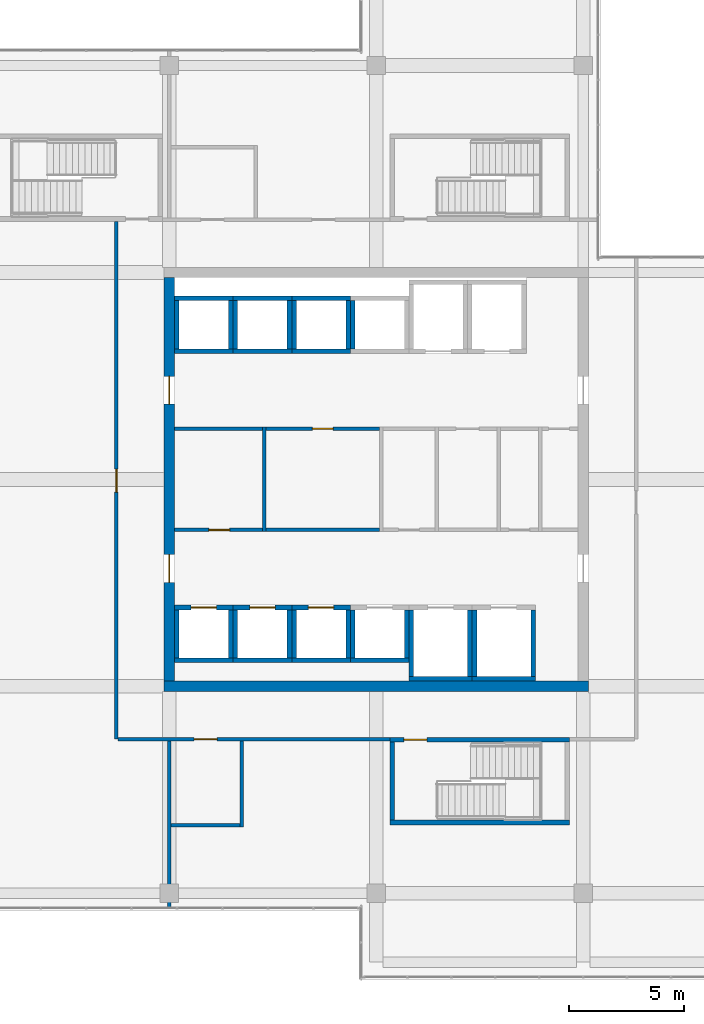
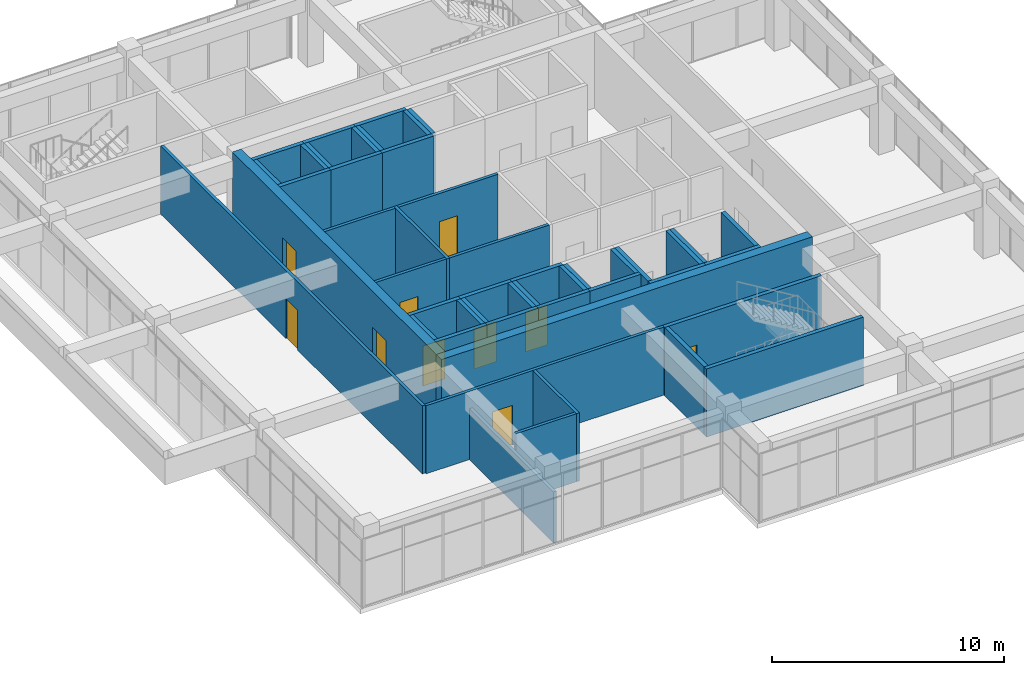
# One storey, part 47 of 52: 49 walls, 10 doors, 10 openings.
"""IFC4 building model written with IfcOpenShell, lengths in metres."""

from ifc_helpers import new_model, si_unit, direction, frame, frame_2d, origin, place, context, subcontext, project, spatial, rectangle, extrude, material, layer, layer_set, type_object, element, fill, save


model = new_model("IFC4")

# Units and contexts
model_context = context("Model", 3, precision=1e-05, world=origin(), true_north=direction((0.0, 1.0)))
body_context = subcontext(model_context, "Body", "Model", "MODEL_VIEW")
ifc_project = project(units=[si_unit("LENGTHUNIT", "METRE"), si_unit("AREAUNIT", "SQUARE_METRE"), si_unit("VOLUMEUNIT", "CUBIC_METRE"), si_unit("PLANEANGLEUNIT", "RADIAN"), si_unit("MASSUNIT", "GRAM", prefix="KILO")], contexts=[model_context])

# Site, building, storey
site_placement = place(None, origin())
site = spatial("IfcSite", under=ifc_project, at=site_placement, CompositionType="ELEMENT")
building_placement = place(site_placement, origin())
building = spatial("IfcBuilding", under=site, at=building_placement, Name="Tuart Plaza Theatre", CompositionType="ELEMENT")
storey_placement = place(building_placement, frame((0.0, 0.0, 25.5)))
storey = spatial("IfcBuildingStorey", under=building, at=storey_placement, Name="L06", CompositionType="ELEMENT", Elevation=25.5)

# Wall
ifc_material_1 = material(Name="Masonry block", Category="masonry")
ifc_layer_1 = layer(ifc_material_1, 0.14990234375)
ifc_layer_set_1 = layer_set([ifc_layer_1], Name="PARTITION BLK150 MASONRYB FRL -/120/120")
wall_type_1 = type_object("IfcWallType", Name="PARTITION BLK150 MASONRYB FRL -/120/120", PredefinedType="PARTITIONING", material=ifc_layer_set_1)
wall_1_placement = place(storey_placement, frame((127.125, 71.72509765625, 0.0), z_axis=(0.0, 0.0, 1.0), x_axis=(0.0, 1.0, 0.0)))
element("IfcWall", 1, at=wall_1_placement, inside=storey, type_object=wall_type_1, Name="P607", PredefinedType="PARTITIONING", context=body_context, shape_type="SweptSolid", body=[
    extrude(rectangle(XDim=4.5498046875, YDim=0.14990234375, at=frame_2d((2.27490234375, 0.0))), origin(), (0.0, 0.0, 1.0), 3.580078125),
])

# Wall, opening, door
wall_2_placement = place(storey_placement, frame((123.22509765625, 71.800048828125, 0.0), z_axis=(0.0, 0.0, 1.0), x_axis=(1.0, 0.0, 0.0)))
wall_2 = element("IfcWall", 2, at=wall_2_placement, inside=storey, type_object=wall_type_1, Name="P608", PredefinedType="PARTITIONING", context=body_context, shape_type="SweptSolid", body=[
    extrude(rectangle(XDim=3.824951171875, YDim=0.14990234375, at=frame_2d((1.91259765625, 0.0))), origin(), (0.0, 0.0, 1.0), 3.580078125),
])
opening_1_placement = place(wall_2_placement, frame((1.5, 0.0, 0.0)))
opening_1 = element("IfcOpeningElement", 3, at=opening_1_placement, cuts=wall_2, Name="Opening L06-018", PredefinedType="OPENING", context=body_context, shape_type="SweptSolid", body=[
    extrude(rectangle(XDim=0.89990234375, YDim=2.10009765625, at=frame_2d((0.449951171875, 1.050048828125))), frame((0.0, 0.0849609375, 0.0), z_axis=(0.0, -1.0, 0.0), x_axis=(1.0, 0.0, 0.0)), (0.0, 0.0, 1.0), 0.169921875),
])
ifc_material_2 = material(Name="Steel Grade 300", Category="steel")
door_type_1 = type_object("IfcDoorType", Name="DOOR 900x2100 steel single swing FRL -/120/30", OperationType="SINGLE_SWING_LEFT", PredefinedType="DOOR", material=ifc_material_2)
door_1_placement = place(opening_1_placement, origin())
door_1 = element("IfcDoor", 4, at=door_1_placement, inside=storey, type_object=door_type_1, Name="L06-018", OperationType="SINGLE_SWING_LEFT", OverallHeight=2.10009765625, OverallWidth=0.89990234375, PredefinedType="DOOR", context=body_context, shape_type="SweptSolid", body=[
    extrude(rectangle(XDim=0.89990234375, YDim=2.10009765625, at=frame_2d((0.449951171875, 1.050048828125))), frame((0.0, 0.02490234375, 0.0), z_axis=(0.0, -1.0, 0.0), x_axis=(1.0, 0.0, 0.0)), (0.0, 0.0, 1.0), 0.050048828125),
])
fill(opening_1, door_1)

# Walls
wall_3_placement = place(storey_placement, frame((123.22509765625, 76.199951171875, 0.0), z_axis=(0.0, 0.0, 1.0), x_axis=(1.0, 0.0, 0.0)))
element("IfcWall", 5, at=wall_3_placement, inside=storey, type_object=wall_type_1, Name="P609", PredefinedType="PARTITIONING", context=body_context, shape_type="SweptSolid", body=[
    extrude(rectangle(XDim=3.824951171875, YDim=0.14990234375, at=frame_2d((1.91259765625, 0.0))), origin(), (0.0, 0.0, 1.0), 3.580078125),
])
wall_4_placement = place(storey_placement, frame((127.199951171875, 71.800048828125, 0.0), z_axis=(0.0, 0.0, 1.0), x_axis=(1.0, 0.0, 0.0)))
element("IfcWall", 6, at=wall_4_placement, inside=storey, type_object=wall_type_1, Name="P611", PredefinedType="PARTITIONING", context=body_context, shape_type="SweptSolid", body=[
    extrude(rectangle(XDim=4.949951171875, YDim=0.14990234375, at=frame_2d((2.47509765625, 0.0))), origin(), (0.0, 0.0, 1.0), 3.580078125),
])

# Wall, opening, door
wall_5_placement = place(storey_placement, frame((127.199951171875, 76.199951171875, 0.0), z_axis=(0.0, 0.0, 1.0), x_axis=(1.0, 0.0, 0.0)))
wall_5 = element("IfcWall", 7, at=wall_5_placement, inside=storey, type_object=wall_type_1, Name="P612", PredefinedType="PARTITIONING", context=body_context, shape_type="SweptSolid", body=[
    extrude(rectangle(XDim=4.949951171875, YDim=0.14990234375, at=frame_2d((2.47509765625, 0.0))), origin(), (0.0, 0.0, 1.0), 3.580078125),
])
opening_2_placement = place(wall_5_placement, frame((2.02490234375, 0.0, 0.0)))
opening_2 = element("IfcOpeningElement", 8, at=opening_2_placement, cuts=wall_5, Name="Opening L06-019", PredefinedType="OPENING", context=body_context, shape_type="SweptSolid", body=[
    extrude(rectangle(XDim=0.89990234375, YDim=2.10009765625, at=frame_2d((0.449951171875, 1.050048828125))), frame((0.0, 0.0849609375, 0.0), z_axis=(0.0, -1.0, 0.0), x_axis=(1.0, 0.0, 0.0)), (0.0, 0.0, 1.0), 0.169921875),
])
door_2_placement = place(opening_2_placement, frame((0.89990234375, 0.0, 0.0), z_axis=(0.0, 0.0, 1.0), x_axis=(-1.0, 0.0, 0.0)))
door_2 = element("IfcDoor", 9, at=door_2_placement, inside=storey, type_object=door_type_1, Name="L06-019", OperationType="SINGLE_SWING_LEFT", OverallHeight=2.10009765625, OverallWidth=0.89990234375, PredefinedType="DOOR", context=body_context, shape_type="SweptSolid", body=[
    extrude(rectangle(XDim=0.89990234375, YDim=2.10009765625, at=frame_2d((0.449951171875, 1.050048828125))), frame((0.0, 0.02490234375, 0.0), z_axis=(0.0, -1.0, 0.0), x_axis=(1.0, 0.0, 0.0)), (0.0, 0.0, 1.0), 0.050048828125),
])
fill(opening_2, door_2)

ifc_material_3 = material(Name="Masonry block", Category="masonry")
ifc_layer_2 = layer(ifc_material_3, 0.14990234375)
ifc_layer_set_2 = layer_set([ifc_layer_2], Name="PARTITION BLK150 MASONRYB FRL 120/-/-")
wall_type_2 = type_object("IfcWallType", Name="PARTITION BLK150 MASONRYB FRL 120/-/-", PredefinedType="PARTITIONING", material=ifc_layer_set_2)
wall_6_placement = place(storey_placement, frame((120.699951171875, 62.699951171875, 0.0), z_axis=(0.0, 0.0, 1.0), x_axis=(0.0, 1.0, 0.0)))
wall_6 = element("IfcWall", 10, at=wall_6_placement, inside=storey, type_object=wall_type_2, Name="P624", PredefinedType="PARTITIONING", context=body_context, shape_type="SweptSolid", body=[
    extrude(rectangle(XDim=22.525146484375, YDim=0.14990234375, at=frame_2d((11.2626953125, 0.0))), origin(), (0.0, 0.0, 1.0), 3.580078125),
])
opening_3_placement = place(wall_6_placement, frame((10.74755859375, 0.0, 0.0)))
opening_3 = element("IfcOpeningElement", 11, at=opening_3_placement, cuts=wall_6, Name="Opening L06-027", PredefinedType="OPENING", context=body_context, shape_type="SweptSolid", body=[
    extrude(rectangle(XDim=1.0, YDim=2.10009765625, at=frame_2d((0.5, 1.050048828125))), frame((0.0, 0.0849609375, 0.0), z_axis=(0.0, -1.0, 0.0), x_axis=(1.0, 0.0, 0.0)), (0.0, 0.0, 1.0), 0.169921875),
])
ifc_material_4 = material(Name="Timber", Category="wood")
door_type_2 = type_object("IfcDoorType", Name="DOOR 1000x2100 timber single swing FRL -/60/30", OperationType="SINGLE_SWING_LEFT", PredefinedType="DOOR", material=ifc_material_4)
door_3_placement = place(opening_3_placement, origin())
door_3 = element("IfcDoor", 12, at=door_3_placement, inside=storey, type_object=door_type_2, Name="L06-027", OperationType="SINGLE_SWING_RIGHT", OverallHeight=2.10009765625, OverallWidth=1.0, PredefinedType="DOOR", context=body_context, shape_type="SweptSolid", body=[
    extrude(rectangle(XDim=1.0, YDim=2.10009765625, at=frame_2d((0.5, 1.050048828125))), frame((0.0, 0.02490234375, 0.0), z_axis=(0.0, -1.0, 0.0), x_axis=(1.0, 0.0, 0.0)), (0.0, 0.0, 1.0), 0.050048828125),
])
fill(opening_3, door_3)

wall_7_placement = place(storey_placement, frame((132.60009765625, 62.699951171875, 0.0), z_axis=(0.0, 0.0, 1.0), x_axis=(-1.0, 0.0, 0.0)))
wall_7 = element("IfcWall", 13, at=wall_7_placement, inside=storey, type_object=wall_type_2, Name="P625", PredefinedType="PARTITIONING", context=body_context, shape_type="SweptSolid", body=[
    extrude(rectangle(XDim=11.8251953125, YDim=0.14990234375, at=frame_2d((5.91259765625, 0.0))), origin(), (0.0, 0.0, 1.0), 3.580078125),
])
opening_4_placement = place(wall_7_placement, frame((7.52490234375, 0.0, 0.0)))
opening_4 = element("IfcOpeningElement", 14, at=opening_4_placement, cuts=wall_7, Name="Opening L06-024", PredefinedType="OPENING", context=body_context, shape_type="SweptSolid", body=[
    extrude(rectangle(XDim=1.0, YDim=2.10009765625, at=frame_2d((0.5, 1.050048828125))), frame((0.0, 0.0849609375, 0.0), z_axis=(0.0, -1.0, 0.0), x_axis=(1.0, 0.0, 0.0)), (0.0, 0.0, 1.0), 0.169921875),
])
door_4_placement = place(opening_4_placement, origin())
door_4 = element("IfcDoor", 15, at=door_4_placement, inside=storey, type_object=door_type_2, Name="L06-024", OperationType="SINGLE_SWING_LEFT", OverallHeight=2.10009765625, OverallWidth=1.0, PredefinedType="DOOR", context=body_context, shape_type="SweptSolid", body=[
    extrude(rectangle(XDim=1.0, YDim=2.10009765625, at=frame_2d((0.5, 1.050048828125))), frame((0.0, 0.02490234375, 0.0), z_axis=(0.0, -1.0, 0.0), x_axis=(1.0, 0.0, 0.0)), (0.0, 0.0, 1.0), 0.050048828125),
])
fill(opening_4, door_4)

# Walls
wall_8_placement = place(storey_placement, frame((123.0, 55.39990234375, 0.0), z_axis=(0.0, 0.0, 1.0), x_axis=(0.0, 1.0, 0.0)))
element("IfcWall", 16, at=wall_8_placement, inside=storey, type_object=wall_type_2, Name="P630", PredefinedType="PARTITIONING", context=body_context, shape_type="SweptSolid", body=[
    extrude(rectangle(XDim=7.22607421875, YDim=0.14990234375, at=frame_2d((3.613037109375, 0.0))), origin(), (0.0, 0.0, 1.0), 2.679931640625),
])
wall_9_placement = place(storey_placement, frame((123.074951171875, 58.949951171875, 0.0), z_axis=(0.0, 0.0, 1.0), x_axis=(1.0, 0.0, 0.0)))
element("IfcWall", 17, at=wall_9_placement, inside=storey, type_object=wall_type_2, Name="P632", PredefinedType="PARTITIONING", context=body_context, shape_type="SweptSolid", body=[
    extrude(rectangle(XDim=3.0, YDim=0.14990234375, at=frame_2d((1.5, 0.0))), origin(), (0.0, 0.0, 1.0), 3.580078125),
])
wall_10_placement = place(storey_placement, frame((126.14990234375, 62.625, 0.0), z_axis=(0.0, 0.0, 1.0), x_axis=(0.0, -1.0, 0.0)))
element("IfcWall", 18, at=wall_10_placement, inside=storey, type_object=wall_type_2, Name="P633", PredefinedType="PARTITIONING", context=body_context, shape_type="SweptSolid", body=[
    extrude(rectangle(XDim=3.75, YDim=0.14990234375, at=frame_2d((1.875, 0.0))), origin(), (0.0, 0.0, 1.0), 3.580078125),
])
ifc_material_5 = material(Name="Concrete N40 (40 MPa)", Category="concrete")
ifc_layer_3 = layer(ifc_material_5, 0.199951171875)
ifc_layer_set_3 = layer_set([ifc_layer_3], Name="SHEAR WALL RC200 FRL 120/120/120")
wall_type_3 = type_object("IfcWallType", Name="SHEAR WALL RC200 FRL 120/120/120", PredefinedType="SHEAR", material=ifc_layer_set_3)
wall_11_placement = place(storey_placement, frame((123.22509765625, 66.125, 0.0), z_axis=(0.0, 0.0, 1.0), x_axis=(1.0, 0.0, 0.0)))
element("IfcWall", 19, at=wall_11_placement, inside=storey, type_object=wall_type_3, Name="W574", PredefinedType="SHEAR", context=body_context, shape_type="SweptSolid", body=[
    extrude(rectangle(XDim=2.5498046875, YDim=0.199951171875, at=frame_2d((1.27490234375, 0.0))), origin(), (0.0, 0.0, 1.0), 4.0),
])
wall_12_placement = place(storey_placement, frame((125.675048828125, 66.22509765625, 0.0), z_axis=(0.0, 0.0, 1.0), x_axis=(0.0, 1.0, 0.0)))
element("IfcWall", 20, at=wall_12_placement, inside=storey, type_object=wall_type_3, Name="W575", PredefinedType="SHEAR", context=body_context, shape_type="SweptSolid", body=[
    extrude(rectangle(XDim=2.099853515625, YDim=0.199951171875, at=frame_2d((1.0498046875, 0.0))), origin(), (0.0, 0.0, 1.0), 4.0),
])

# Wall, opening, door
wall_13_placement = place(storey_placement, frame((125.77490234375, 68.425048828125, 0.0), z_axis=(0.0, 0.0, 1.0), x_axis=(-1.0, 0.0, 0.0)))
wall_13 = element("IfcWall", 21, at=wall_13_placement, inside=storey, type_object=wall_type_3, Name="W576", PredefinedType="SHEAR", context=body_context, shape_type="SweptSolid", body=[
    extrude(rectangle(XDim=2.5498046875, YDim=0.199951171875, at=frame_2d((1.27490234375, 0.0))), origin(), (0.0, 0.0, 1.0), 4.0),
])
opening_5_placement = place(wall_13_placement, frame((0.72509765625, 0.0, 0.0)))
opening_5 = element("IfcOpeningElement", 22, at=opening_5_placement, cuts=wall_13, Name="Opening L06-003", PredefinedType="OPENING", context=body_context, shape_type="SweptSolid", body=[
    extrude(rectangle(XDim=1.10009765625, YDim=2.10009765625, at=frame_2d((0.550048828125, 1.050048828125))), frame((0.0, 0.10986328125, 0.0), z_axis=(0.0, -1.0, 0.0), x_axis=(1.0, 0.0, 0.0)), (0.0, 0.0, 1.0), 0.219970703125),
])
ifc_material_6 = material(Name="Steel Grade 300", Category="steel")
door_type_3 = type_object("IfcDoorType", Name="LANDING DOOR 1100x2100 steel sliding FRL -/120/30", OperationType="SLIDING_TO_LEFT", PredefinedType="DOOR", material=ifc_material_6)
door_5_placement = place(opening_5_placement, origin())
door_5 = element("IfcDoor", 23, at=door_5_placement, inside=storey, type_object=door_type_3, Name="L06-003", OperationType="SLIDING_TO_LEFT", OverallHeight=2.10009765625, OverallWidth=1.10009765625, PredefinedType="DOOR", context=body_context, shape_type="SweptSolid", body=[
    extrude(rectangle(XDim=1.10009765625, YDim=2.10009765625, at=frame_2d((0.550048828125, 1.050048828125))), frame((0.0, 0.02490234375, 0.0), z_axis=(0.0, -1.0, 0.0), x_axis=(1.0, 0.0, 0.0)), (0.0, 0.0, 1.0), 0.050048828125),
])
fill(opening_5, door_5)

# Walls
wall_14_placement = place(storey_placement, frame((123.324951171875, 68.324951171875, 0.0), z_axis=(0.0, 0.0, 1.0), x_axis=(0.0, -1.0, 0.0)))
element("IfcWall", 24, at=wall_14_placement, inside=storey, type_object=wall_type_3, Name="W577", PredefinedType="SHEAR", context=body_context, shape_type="SweptSolid", body=[
    extrude(rectangle(XDim=2.099853515625, YDim=0.199951171875, at=frame_2d((1.0498046875, 0.0))), origin(), (0.0, 0.0, 1.0), 4.0),
])
wall_15_placement = place(storey_placement, frame((125.77490234375, 66.125, 0.0), z_axis=(0.0, 0.0, 1.0), x_axis=(1.0, 0.0, 0.0)))
element("IfcWall", 25, at=wall_15_placement, inside=storey, type_object=wall_type_3, Name="W618", PredefinedType="SHEAR", context=body_context, shape_type="SweptSolid", body=[
    extrude(rectangle(XDim=2.550048828125, YDim=0.199951171875, at=frame_2d((1.27490234375, 0.0))), origin(), (0.0, 0.0, 1.0), 4.0),
])
wall_16_placement = place(storey_placement, frame((128.22509765625, 66.22509765625, 0.0), z_axis=(0.0, 0.0, 1.0), x_axis=(0.0, 1.0, 0.0)))
element("IfcWall", 26, at=wall_16_placement, inside=storey, type_object=wall_type_3, Name="W619", PredefinedType="SHEAR", context=body_context, shape_type="SweptSolid", body=[
    extrude(rectangle(XDim=2.099853515625, YDim=0.199951171875, at=frame_2d((1.0498046875, 0.0))), origin(), (0.0, 0.0, 1.0), 4.0),
])

# Wall, opening, door
wall_17_placement = place(storey_placement, frame((128.324951171875, 68.425048828125, 0.0), z_axis=(0.0, 0.0, 1.0), x_axis=(-1.0, 0.0, 0.0)))
wall_17 = element("IfcWall", 27, at=wall_17_placement, inside=storey, type_object=wall_type_3, Name="W620", PredefinedType="SHEAR", context=body_context, shape_type="SweptSolid", body=[
    extrude(rectangle(XDim=2.550048828125, YDim=0.199951171875, at=frame_2d((1.27490234375, 0.0))), origin(), (0.0, 0.0, 1.0), 4.0),
])
opening_6_placement = place(wall_17_placement, frame((0.72509765625, 0.0, 0.0)))
opening_6 = element("IfcOpeningElement", 28, at=opening_6_placement, cuts=wall_17, Name="Opening L06-004", PredefinedType="OPENING", context=body_context, shape_type="SweptSolid", body=[
    extrude(rectangle(XDim=1.10009765625, YDim=2.10009765625, at=frame_2d((0.550048828125, 1.050048828125))), frame((0.0, 0.10986328125, 0.0), z_axis=(0.0, -1.0, 0.0), x_axis=(1.0, 0.0, 0.0)), (0.0, 0.0, 1.0), 0.219970703125),
])
door_6_placement = place(opening_6_placement, origin())
door_6 = element("IfcDoor", 29, at=door_6_placement, inside=storey, type_object=door_type_3, Name="L06-004", OperationType="SLIDING_TO_LEFT", OverallHeight=2.10009765625, OverallWidth=1.10009765625, PredefinedType="DOOR", context=body_context, shape_type="SweptSolid", body=[
    extrude(rectangle(XDim=1.10009765625, YDim=2.10009765625, at=frame_2d((0.550048828125, 1.050048828125))), frame((0.0, 0.02490234375, 0.0), z_axis=(0.0, -1.0, 0.0), x_axis=(1.0, 0.0, 0.0)), (0.0, 0.0, 1.0), 0.050048828125),
])
fill(opening_6, door_6)

# Walls
wall_18_placement = place(storey_placement, frame((125.875, 68.324951171875, 0.0), z_axis=(0.0, 0.0, 1.0), x_axis=(0.0, -1.0, 0.0)))
element("IfcWall", 30, at=wall_18_placement, inside=storey, type_object=wall_type_3, Name="W621", PredefinedType="SHEAR", context=body_context, shape_type="SweptSolid", body=[
    extrude(rectangle(XDim=2.099853515625, YDim=0.199951171875, at=frame_2d((1.0498046875, 0.0))), origin(), (0.0, 0.0, 1.0), 4.0),
])
wall_19_placement = place(storey_placement, frame((128.324951171875, 66.125, 0.0), z_axis=(0.0, 0.0, 1.0), x_axis=(1.0, 0.0, 0.0)))
element("IfcWall", 31, at=wall_19_placement, inside=storey, type_object=wall_type_3, Name="W662", PredefinedType="SHEAR", context=body_context, shape_type="SweptSolid", body=[
    extrude(rectangle(XDim=2.550048828125, YDim=0.199951171875, at=frame_2d((1.27490234375, 0.0))), origin(), (0.0, 0.0, 1.0), 4.0),
])
wall_20_placement = place(storey_placement, frame((130.77490234375, 66.22509765625, 0.0), z_axis=(0.0, 0.0, 1.0), x_axis=(0.0, 1.0, 0.0)))
element("IfcWall", 32, at=wall_20_placement, inside=storey, type_object=wall_type_3, Name="W663", PredefinedType="SHEAR", context=body_context, shape_type="SweptSolid", body=[
    extrude(rectangle(XDim=2.099853515625, YDim=0.199951171875, at=frame_2d((1.0498046875, 0.0))), origin(), (0.0, 0.0, 1.0), 4.0),
])

# Wall, opening, door
wall_21_placement = place(storey_placement, frame((130.875, 68.425048828125, 0.0), z_axis=(0.0, 0.0, 1.0), x_axis=(-1.0, 0.0, 0.0)))
wall_21 = element("IfcWall", 33, at=wall_21_placement, inside=storey, type_object=wall_type_3, Name="W664", PredefinedType="SHEAR", context=body_context, shape_type="SweptSolid", body=[
    extrude(rectangle(XDim=2.550048828125, YDim=0.199951171875, at=frame_2d((1.27490234375, 0.0))), origin(), (0.0, 0.0, 1.0), 4.0),
])
opening_7_placement = place(wall_21_placement, frame((0.72509765625, 0.0, 0.0)))
opening_7 = element("IfcOpeningElement", 34, at=opening_7_placement, cuts=wall_21, Name="Opening L06-005", PredefinedType="OPENING", context=body_context, shape_type="SweptSolid", body=[
    extrude(rectangle(XDim=1.10009765625, YDim=2.10009765625, at=frame_2d((0.550048828125, 1.050048828125))), frame((0.0, 0.10986328125, 0.0), z_axis=(0.0, -1.0, 0.0), x_axis=(1.0, 0.0, 0.0)), (0.0, 0.0, 1.0), 0.219970703125),
])
door_7_placement = place(opening_7_placement, origin())
door_7 = element("IfcDoor", 35, at=door_7_placement, inside=storey, type_object=door_type_3, Name="L06-005", OperationType="SLIDING_TO_LEFT", OverallHeight=2.10009765625, OverallWidth=1.10009765625, PredefinedType="DOOR", context=body_context, shape_type="SweptSolid", body=[
    extrude(rectangle(XDim=1.10009765625, YDim=2.10009765625, at=frame_2d((0.550048828125, 1.050048828125))), frame((0.0, 0.02490234375, 0.0), z_axis=(0.0, -1.0, 0.0), x_axis=(1.0, 0.0, 0.0)), (0.0, 0.0, 1.0), 0.050048828125),
])
fill(opening_7, door_7)

# Walls
wall_22_placement = place(storey_placement, frame((128.425048828125, 68.324951171875, 0.0), z_axis=(0.0, 0.0, 1.0), x_axis=(0.0, -1.0, 0.0)))
element("IfcWall", 36, at=wall_22_placement, inside=storey, type_object=wall_type_3, Name="W665", PredefinedType="SHEAR", context=body_context, shape_type="SweptSolid", body=[
    extrude(rectangle(XDim=2.099853515625, YDim=0.199951171875, at=frame_2d((1.0498046875, 0.0))), origin(), (0.0, 0.0, 1.0), 4.0),
])
wall_23_placement = place(storey_placement, frame((130.875, 66.125, 0.0), z_axis=(0.0, 0.0, 1.0), x_axis=(1.0, 0.0, 0.0)))
element("IfcWall", 37, at=wall_23_placement, inside=storey, type_object=wall_type_3, Name="W706", PredefinedType="SHEAR", context=body_context, shape_type="SweptSolid", body=[
    extrude(rectangle(XDim=2.550048828125, YDim=0.199951171875, at=frame_2d((1.27490234375, 0.0))), origin(), (0.0, 0.0, 1.0), 4.0),
])
for number, where, z_axis, x_axis, name in (
    (38, (133.324951171875, 66.22509765625, 0.0), (0.0, 0.0, 1.0), (0.0, 1.0, 0.0), "W707"),
    (39, (130.97509765625, 68.324951171875, 0.0), (0.0, 0.0, 1.0), (0.0, -1.0, 0.0), "W709"),
):
    element("IfcWall", number, at=place(storey_placement, frame(where, z_axis=z_axis, x_axis=x_axis)), inside=storey, type_object=wall_type_3, Name=name, PredefinedType="SHEAR", context=body_context, shape_type="SweptSolid", body=[
        extrude(rectangle(XDim=2.099853515625, YDim=0.199951171875, at=frame_2d((1.0498046875, 0.0))), origin(), (0.0, 0.0, 1.0), 4.0),
    ])
wall_24_placement = place(storey_placement, frame((123.22509765625, 79.574951171875, 0.0), z_axis=(0.0, 0.0, 1.0), x_axis=(1.0, 0.0, 0.0)))
element("IfcWall", 40, at=wall_24_placement, inside=storey, type_object=wall_type_3, Name="W750", PredefinedType="SHEAR", context=body_context, shape_type="SweptSolid", body=[
    extrude(rectangle(XDim=2.5498046875, YDim=0.199951171875, at=frame_2d((1.27490234375, 0.0))), origin(), (0.0, 0.0, 1.0), 4.0),
])
wall_25_placement = place(storey_placement, frame((125.675048828125, 79.675048828125, 0.0), z_axis=(0.0, 0.0, 1.0), x_axis=(0.0, 1.0, 0.0)))
element("IfcWall", 41, at=wall_25_placement, inside=storey, type_object=wall_type_3, Name="W751", PredefinedType="SHEAR", context=body_context, shape_type="SweptSolid", body=[
    extrude(rectangle(XDim=2.099853515625, YDim=0.199951171875, at=frame_2d((1.0498046875, 0.0))), origin(), (0.0, 0.0, 1.0), 4.0),
])
wall_26_placement = place(storey_placement, frame((125.77490234375, 81.875, 0.0), z_axis=(0.0, 0.0, 1.0), x_axis=(-1.0, 0.0, 0.0)))
element("IfcWall", 42, at=wall_26_placement, inside=storey, type_object=wall_type_3, Name="W752", PredefinedType="SHEAR", context=body_context, shape_type="SweptSolid", body=[
    extrude(rectangle(XDim=2.5498046875, YDim=0.199951171875, at=frame_2d((1.27490234375, 0.0))), origin(), (0.0, 0.0, 1.0), 4.0),
])
wall_27_placement = place(storey_placement, frame((123.324951171875, 81.77490234375, 0.0), z_axis=(0.0, 0.0, 1.0), x_axis=(0.0, -1.0, 0.0)))
element("IfcWall", 43, at=wall_27_placement, inside=storey, type_object=wall_type_3, Name="W753", PredefinedType="SHEAR", context=body_context, shape_type="SweptSolid", body=[
    extrude(rectangle(XDim=2.099853515625, YDim=0.199951171875, at=frame_2d((1.0498046875, 0.0))), origin(), (0.0, 0.0, 1.0), 4.0),
])
wall_28_placement = place(storey_placement, frame((125.77490234375, 79.574951171875, 0.0), z_axis=(0.0, 0.0, 1.0), x_axis=(1.0, 0.0, 0.0)))
element("IfcWall", 44, at=wall_28_placement, inside=storey, type_object=wall_type_3, Name="W822", PredefinedType="SHEAR", context=body_context, shape_type="SweptSolid", body=[
    extrude(rectangle(XDim=2.550048828125, YDim=0.199951171875, at=frame_2d((1.27490234375, 0.0))), origin(), (0.0, 0.0, 1.0), 4.0),
])
wall_29_placement = place(storey_placement, frame((128.22509765625, 79.675048828125, 0.0), z_axis=(0.0, 0.0, 1.0), x_axis=(0.0, 1.0, 0.0)))
element("IfcWall", 45, at=wall_29_placement, inside=storey, type_object=wall_type_3, Name="W823", PredefinedType="SHEAR", context=body_context, shape_type="SweptSolid", body=[
    extrude(rectangle(XDim=2.099853515625, YDim=0.199951171875, at=frame_2d((1.0498046875, 0.0))), origin(), (0.0, 0.0, 1.0), 4.0),
])
wall_30_placement = place(storey_placement, frame((128.324951171875, 81.875, 0.0), z_axis=(0.0, 0.0, 1.0), x_axis=(-1.0, 0.0, 0.0)))
element("IfcWall", 46, at=wall_30_placement, inside=storey, type_object=wall_type_3, Name="W824", PredefinedType="SHEAR", context=body_context, shape_type="SweptSolid", body=[
    extrude(rectangle(XDim=2.550048828125, YDim=0.199951171875, at=frame_2d((1.27490234375, 0.0))), origin(), (0.0, 0.0, 1.0), 4.0),
])
wall_31_placement = place(storey_placement, frame((125.875, 81.77490234375, 0.0), z_axis=(0.0, 0.0, 1.0), x_axis=(0.0, -1.0, 0.0)))
element("IfcWall", 47, at=wall_31_placement, inside=storey, type_object=wall_type_3, Name="W825", PredefinedType="SHEAR", context=body_context, shape_type="SweptSolid", body=[
    extrude(rectangle(XDim=2.099853515625, YDim=0.199951171875, at=frame_2d((1.0498046875, 0.0))), origin(), (0.0, 0.0, 1.0), 4.0),
])
wall_32_placement = place(storey_placement, frame((128.324951171875, 79.574951171875, 0.0), z_axis=(0.0, 0.0, 1.0), x_axis=(1.0, 0.0, 0.0)))
element("IfcWall", 48, at=wall_32_placement, inside=storey, type_object=wall_type_3, Name="W894", PredefinedType="SHEAR", context=body_context, shape_type="SweptSolid", body=[
    extrude(rectangle(XDim=2.550048828125, YDim=0.199951171875, at=frame_2d((1.27490234375, 0.0))), origin(), (0.0, 0.0, 1.0), 4.0),
])
wall_33_placement = place(storey_placement, frame((130.77490234375, 79.675048828125, 0.0), z_axis=(0.0, 0.0, 1.0), x_axis=(0.0, 1.0, 0.0)))
element("IfcWall", 49, at=wall_33_placement, inside=storey, type_object=wall_type_3, Name="W895", PredefinedType="SHEAR", context=body_context, shape_type="SweptSolid", body=[
    extrude(rectangle(XDim=2.099853515625, YDim=0.199951171875, at=frame_2d((1.0498046875, 0.0))), origin(), (0.0, 0.0, 1.0), 4.0),
])
wall_34_placement = place(storey_placement, frame((130.875, 81.875, 0.0), z_axis=(0.0, 0.0, 1.0), x_axis=(-1.0, 0.0, 0.0)))
element("IfcWall", 50, at=wall_34_placement, inside=storey, type_object=wall_type_3, Name="W896", PredefinedType="SHEAR", context=body_context, shape_type="SweptSolid", body=[
    extrude(rectangle(XDim=2.550048828125, YDim=0.199951171875, at=frame_2d((1.27490234375, 0.0))), origin(), (0.0, 0.0, 1.0), 4.0),
])
for number, where, z_axis, x_axis, name in (
    (51, (128.425048828125, 81.77490234375, 0.0), (0.0, 0.0, 1.0), (0.0, -1.0, 0.0), "W897"),
    (52, (130.97509765625, 81.77490234375, 0.0), (0.0, 0.0, 1.0), (0.0, -1.0, 0.0), "W969"),
):
    element("IfcWall", number, at=place(storey_placement, frame(where, z_axis=z_axis, x_axis=x_axis)), inside=storey, type_object=wall_type_3, Name=name, PredefinedType="SHEAR", context=body_context, shape_type="SweptSolid", body=[
        extrude(rectangle(XDim=2.099853515625, YDim=0.199951171875, at=frame_2d((1.0498046875, 0.0))), origin(), (0.0, 0.0, 1.0), 4.0),
    ])
wall_35_placement = place(storey_placement, frame((133.425048828125, 65.324951171875, 0.0), z_axis=(0.0, 0.0, 1.0), x_axis=(1.0, 0.0, 0.0)))
element("IfcWall", 53, at=wall_35_placement, inside=storey, type_object=wall_type_3, Name="W1038", PredefinedType="SHEAR", context=body_context, shape_type="SweptSolid", body=[
    extrude(rectangle(XDim=2.75, YDim=0.199951171875, at=frame_2d((1.375, 0.0))), origin(), (0.0, 0.0, 1.0), 4.0),
])
for number, where, z_axis, x_axis, name in (
    (54, (136.074951171875, 65.425048828125, 0.0), (0.0, 0.0, 1.0), (0.0, 1.0, 0.0), "W1039"),
    (55, (133.52490234375, 68.324951171875, 0.0), (0.0, 0.0, 1.0), (0.0, -1.0, 0.0), "W1041"),
):
    element("IfcWall", number, at=place(storey_placement, frame(where, z_axis=z_axis, x_axis=x_axis)), inside=storey, type_object=wall_type_3, Name=name, PredefinedType="SHEAR", context=body_context, shape_type="SweptSolid", body=[
        extrude(rectangle(XDim=2.89990234375, YDim=0.199951171875, at=frame_2d((1.449951171875, 0.0))), origin(), (0.0, 0.0, 1.0), 4.0),
    ])
wall_36_placement = place(storey_placement, frame((136.175048828125, 65.324951171875, 0.0), z_axis=(0.0, 0.0, 1.0), x_axis=(1.0, 0.0, 0.0)))
element("IfcWall", 56, at=wall_36_placement, inside=storey, type_object=wall_type_3, Name="W1114", PredefinedType="SHEAR", context=body_context, shape_type="SweptSolid", body=[
    extrude(rectangle(XDim=2.75, YDim=0.199951171875, at=frame_2d((1.375, 0.0))), origin(), (0.0, 0.0, 1.0), 4.0),
])
for number, where, z_axis, x_axis, name in (
    (57, (138.824951171875, 65.425048828125, 0.0), (0.0, 0.0, 1.0), (0.0, 1.0, 0.0), "W1115"),
    (58, (136.27490234375, 68.324951171875, 0.0), (0.0, 0.0, 1.0), (0.0, -1.0, 0.0), "W1117"),
):
    element("IfcWall", number, at=place(storey_placement, frame(where, z_axis=z_axis, x_axis=x_axis)), inside=storey, type_object=wall_type_3, Name=name, PredefinedType="SHEAR", context=body_context, shape_type="SweptSolid", body=[
        extrude(rectangle(XDim=2.89990234375, YDim=0.199951171875, at=frame_2d((1.449951171875, 0.0))), origin(), (0.0, 0.0, 1.0), 4.0),
    ])
wall_37_placement = place(storey_placement, frame((132.60009765625, 59.074951171875, 0.0), z_axis=(0.0, 0.0, 1.0), x_axis=(1.0, 0.0, 0.0)))
element("IfcWall", 59, at=wall_37_placement, inside=storey, type_object=wall_type_3, Name="P400", PredefinedType="SHEAR", context=body_context, shape_type="SweptSolid", body=[
    extrude(rectangle(XDim=7.7998046875, YDim=0.199951171875, at=frame_2d((3.89990234375, 0.0))), origin(), (0.0, 0.0, 1.0), 3.580078125),
])

# Wall, opening, door
wall_38_placement = place(storey_placement, frame((140.39990234375, 62.675048828125, 0.0), z_axis=(0.0, 0.0, 1.0), x_axis=(-1.0, 0.0, 0.0)))
wall_38 = element("IfcWall", 60, at=wall_38_placement, inside=storey, type_object=wall_type_3, Name="P402", PredefinedType="SHEAR", context=body_context, shape_type="SweptSolid", body=[
    extrude(rectangle(XDim=7.7998046875, YDim=0.199951171875, at=frame_2d((3.89990234375, 0.0))), origin(), (0.0, 0.0, 1.0), 3.580078125),
])
opening_8_placement = place(wall_38_placement, frame((6.199951171875, 0.0, 0.0)))
opening_8 = element("IfcOpeningElement", 61, at=opening_8_placement, cuts=wall_38, Name="Opening L06-011", PredefinedType="OPENING", context=body_context, shape_type="SweptSolid", body=[
    extrude(rectangle(XDim=1.0, YDim=2.10009765625, at=frame_2d((0.5, 1.050048828125))), frame((0.0, 0.10986328125, 0.0), z_axis=(0.0, -1.0, 0.0), x_axis=(1.0, 0.0, 0.0)), (0.0, 0.0, 1.0), 0.219970703125),
])
ifc_material_7 = material(Name="Steel Grade 300", Category="steel")
door_type_4 = type_object("IfcDoorType", Name="DOOR 1000x2100 steel single swing FRL -/120/30", OperationType="SINGLE_SWING_LEFT", PredefinedType="DOOR", material=ifc_material_7)
door_8_placement = place(opening_8_placement, origin())
door_8 = element("IfcDoor", 62, at=door_8_placement, inside=storey, type_object=door_type_4, Name="L06-011", OperationType="SINGLE_SWING_LEFT", OverallHeight=2.10009765625, OverallWidth=1.0, PredefinedType="DOOR", context=body_context, shape_type="SweptSolid", body=[
    extrude(rectangle(XDim=1.0, YDim=2.10009765625, at=frame_2d((0.5, 1.050048828125))), frame((0.0, 0.02490234375, 0.0), z_axis=(0.0, -1.0, 0.0), x_axis=(1.0, 0.0, 0.0)), (0.0, 0.0, 1.0), 0.050048828125),
])
fill(opening_8, door_8)

# Walls
wall_39_placement = place(storey_placement, frame((132.699951171875, 62.574951171875, 0.0), z_axis=(0.0, 0.0, 1.0), x_axis=(0.0, -1.0, 0.0)))
element("IfcWall", 63, at=wall_39_placement, inside=storey, type_object=wall_type_3, Name="P403", PredefinedType="SHEAR", context=body_context, shape_type="SweptSolid", body=[
    extrude(rectangle(XDim=3.39990234375, YDim=0.199951171875, at=frame_2d((1.699951171875, 0.0))), origin(), (0.0, 0.0, 1.0), 3.580078125),
])
ifc_material_8 = material(Name="Concrete N50 (50 MPa)", Category="concrete")
ifc_layer_4 = layer(ifc_material_8, 0.449951171875)
ifc_layer_set_4 = layer_set([ifc_layer_4], Name="SHEAR WALL RC450 N50 FRL 120/120/120")
wall_type_4 = type_object("IfcWallType", Name="SHEAR WALL RC450 N50 FRL 120/120/120", PredefinedType="SHEAR", material=ifc_layer_set_4)
wall_40_placement = place(storey_placement, frame((122.77490234375, 65.0, 0.0), z_axis=(0.0, 0.0, 1.0), x_axis=(1.0, 0.0, 0.0)))
element("IfcWall", 64, at=wall_40_placement, inside=storey, type_object=wall_type_4, Name="W379", PredefinedType="SHEAR", context=body_context, shape_type="SweptSolid", body=[
    extrude(rectangle(XDim=18.4501953125, YDim=0.449951171875, at=frame_2d((9.22509765625, 0.0))), origin(), (0.0, 0.0, 1.0), 4.0),
])

# Wall, openings, doors
wall_41_placement = place(storey_placement, frame((123.0, 82.77490234375, 0.0), z_axis=(0.0, 0.0, 1.0), x_axis=(0.0, -1.0, 0.0)))
wall_41 = element("IfcWall", 65, at=wall_41_placement, inside=storey, type_object=wall_type_4, Name="W382", PredefinedType="SHEAR", context=body_context, shape_type="SweptSolid", body=[
    extrude(rectangle(XDim=17.5498046875, YDim=0.449951171875, at=frame_2d((8.77490234375, 0.0))), origin(), (0.0, 0.0, 1.0), 4.0),
])
opening_9_placement = place(wall_41_placement, frame((12.050048828125, 0.0, 0.0)))
opening_9 = element("IfcOpeningElement", 66, at=opening_9_placement, cuts=wall_41, Name="Opening L06-014", PredefinedType="OPENING", context=body_context, shape_type="SweptSolid", body=[
    extrude(rectangle(XDim=1.199951171875, YDim=2.10009765625, at=frame_2d((0.60009765625, 1.050048828125))), frame((0.0, 0.23486328125, 0.0), z_axis=(0.0, -1.0, 0.0), x_axis=(1.0, 0.0, 0.0)), (0.0, 0.0, 1.0), 0.469970703125),
])
opening_10_placement = place(wall_41_placement, frame((4.300048828125, 0.0, 0.0)))
opening_10 = element("IfcOpeningElement", 67, at=opening_10_placement, cuts=wall_41, Name="Opening L06-016", PredefinedType="OPENING", context=body_context, shape_type="SweptSolid", body=[
    extrude(rectangle(XDim=1.199951171875, YDim=2.10009765625, at=frame_2d((0.60009765625, 1.050048828125))), frame((0.0, 0.23486328125, 0.0), z_axis=(0.0, -1.0, 0.0), x_axis=(1.0, 0.0, 0.0)), (0.0, 0.0, 1.0), 0.469970703125),
])
ifc_material_9 = material(Name="Steel Grade 300", Category="steel")
door_type_5 = type_object("IfcDoorType", Name="DOOR 1200x2100 steel single swing FRL -/120/30", OperationType="SINGLE_SWING_LEFT", PredefinedType="DOOR", material=ifc_material_9)
door_9_placement = place(opening_9_placement, frame((1.199951171875, 0.0, 0.0), z_axis=(0.0, 0.0, 1.0), x_axis=(-1.0, 0.0, 0.0)))
door_9 = element("IfcDoor", 68, at=door_9_placement, inside=storey, type_object=door_type_5, Name="L06-014", OperationType="SINGLE_SWING_RIGHT", OverallHeight=2.10009765625, OverallWidth=1.199951171875, PredefinedType="DOOR", context=body_context, shape_type="SweptSolid", body=[
    extrude(rectangle(XDim=1.199951171875, YDim=2.10009765625, at=frame_2d((0.60009765625, 1.050048828125))), frame((0.0, 0.02490234375, 0.0), z_axis=(0.0, -1.0, 0.0), x_axis=(1.0, 0.0, 0.0)), (0.0, 0.0, 1.0), 0.050048828125),
])
fill(opening_9, door_9)
door_10_placement = place(opening_10_placement, frame((1.199951171875, 0.0, 0.0), z_axis=(0.0, 0.0, 1.0), x_axis=(-1.0, 0.0, 0.0)))
door_10 = element("IfcDoor", 69, at=door_10_placement, inside=storey, type_object=door_type_5, Name="L06-016", OperationType="SINGLE_SWING_LEFT", OverallHeight=2.10009765625, OverallWidth=1.199951171875, PredefinedType="DOOR", context=body_context, shape_type="SweptSolid", body=[
    extrude(rectangle(XDim=1.199951171875, YDim=2.10009765625, at=frame_2d((0.60009765625, 1.050048828125))), frame((0.0, 0.02490234375, 0.0), z_axis=(0.0, -1.0, 0.0), x_axis=(1.0, 0.0, 0.0)), (0.0, 0.0, 1.0), 0.050048828125),
])
fill(opening_10, door_10)

save(model, "model.ifc")
